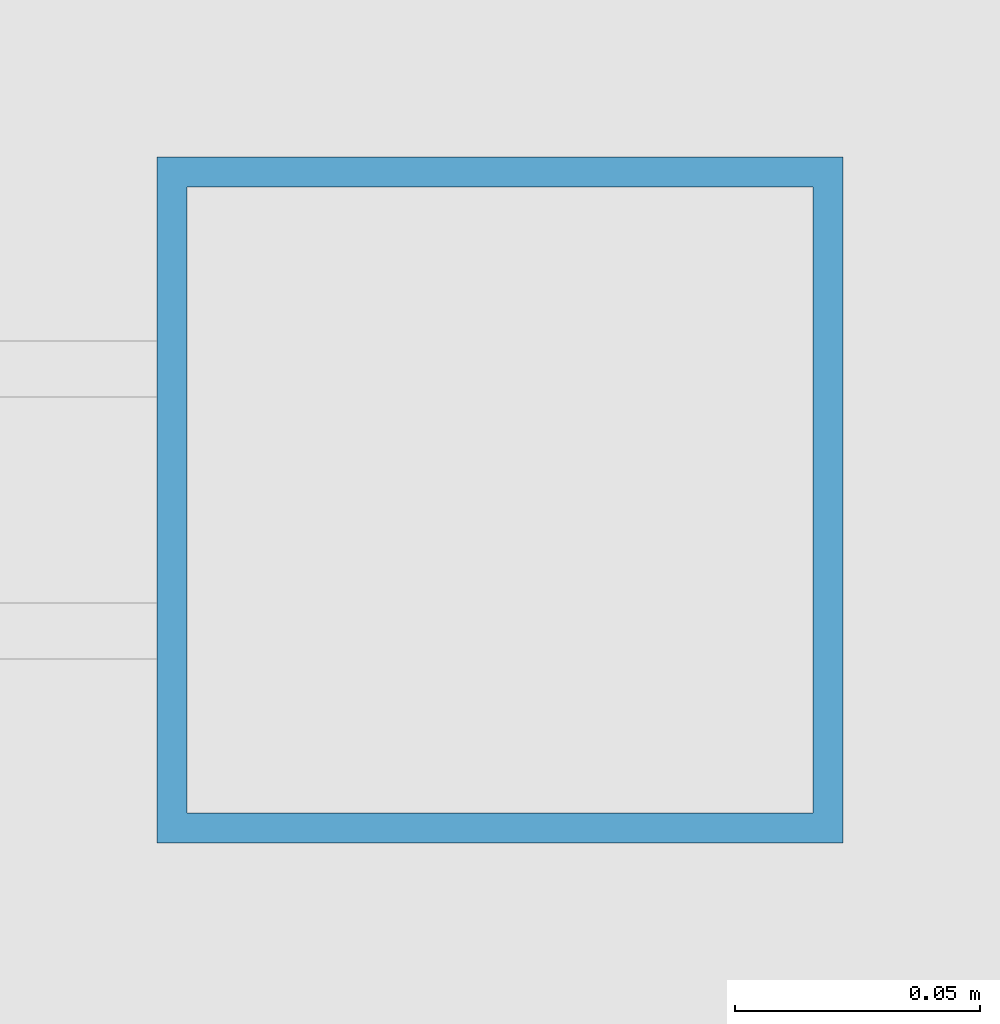
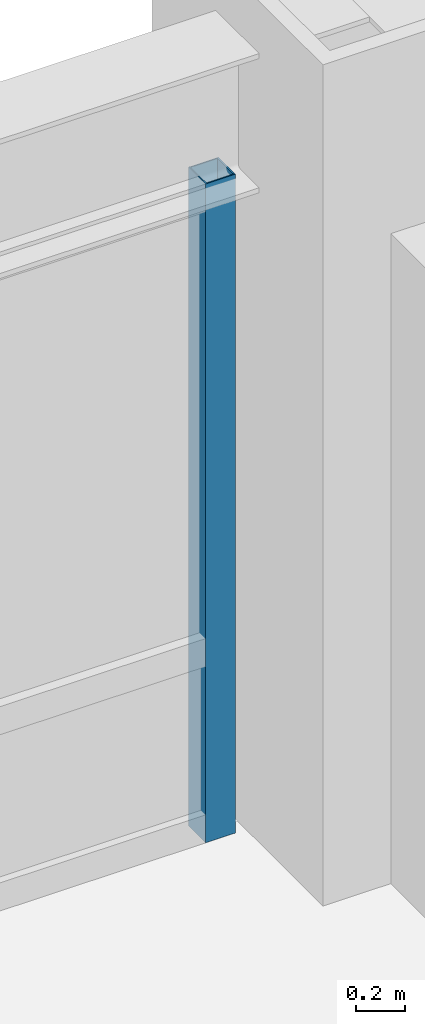
# One storey, part 21 of 28: 1 member, 1 element without a shape of its own.
"""IFC4 building model written with IfcOpenShell, lengths in metres."""

import ifcopenshell
import ifcopenshell.guid

model = None  # the IFC model being written
_history = None  # IfcOwnerHistory: only IFC2X3 demands one
_inside = {}  # id of a spatial element -> (the spatial element, [elements in it])
_under = {}  # id of a project, library or spatial element -> (it, [spatial elements below it])
_declared = {}  # id of a project -> (the project, [libraries it declares])
_typed = {}  # id of a type object -> (the type object, [elements of that type])
_made_of = {}  # id of a material, layer set ... -> (it, [elements and type objects made of it])


def new_model(schema):
    """Start an empty IFC model of exactly this schema.

    Asked for "IFC4X3", IfcOpenShell would pick the latest addendum, in which some entities
    have other attributes; the version numbers below select the first issue.
    IFC2X3 requires an IfcOwnerHistory on every rooted entity: one is made here for all.
    """
    global model, _history
    if schema == "IFC4X3":
        model = ifcopenshell.file(schema_version=(4, 3, 0, 0))
    else:
        model = ifcopenshell.file(schema=schema)
    _inside.clear()
    _under.clear()
    _declared.clear()
    _typed.clear()
    _made_of.clear()
    _history = None
    if model.schema == "IFC2X3":
        org = make("IfcOrganization", Name="unknown")
        user = make(
            "IfcPersonAndOrganization",
            ThePerson=make("IfcPerson", FamilyName="unknown"),
            TheOrganization=org,
        )
        app = make(
            "IfcApplication",
            ApplicationDeveloper=org,
            Version="unknown",
            ApplicationFullName="unknown",
            ApplicationIdentifier="unknown",
        )
        _history = make(
            "IfcOwnerHistory",
            OwningUser=user,
            OwningApplication=app,
            ChangeAction="ADDED",
            CreationDate=0,
        )
    return model


def make(cls, **values):
    """One entity of the class cls with the attributes given. An attribute that is None is left unset."""
    return model.create_entity(
        cls, **{name: value for name, value in values.items() if value is not None}
    )


def rooted(cls, **values):
    """An entity with a GlobalId (a new one), such as an element, a storey or a relation."""
    return make(cls, GlobalId=ifcopenshell.guid.new(), OwnerHistory=_history, **values)


def si_unit(unit_type, name, prefix=None):
    """IfcSIUnit, for example si_unit("LENGTHUNIT", "METRE", prefix="MILLI")."""
    return make("IfcSIUnit", UnitType=unit_type, Prefix=prefix, Name=name)


def assignment(units):
    """IfcUnitAssignment: the units of a project."""
    return None if units is None else make("IfcUnitAssignment", Units=units)


def point(xyz):
    """IfcCartesianPoint."""
    return None if xyz is None else make("IfcCartesianPoint", Coordinates=xyz)


def direction(xyz):
    """IfcDirection."""
    return None if xyz is None else make("IfcDirection", DirectionRatios=xyz)


def frame(location, z_axis=None, x_axis=None):
    """IfcAxis2Placement3D, a coordinate frame: its origin and axes. An axis left out is left unset."""
    return make(
        "IfcAxis2Placement3D",
        Location=point(location),
        Axis=direction(z_axis),
        RefDirection=direction(x_axis),
    )


def frame_2d(location, x_axis=None):
    """IfcAxis2Placement2D, a coordinate frame in the plane: its origin and x axis."""
    return make(
        "IfcAxis2Placement2D", Location=point(location), RefDirection=direction(x_axis)
    )


def origin():
    """The frame at (0, 0, 0) with its axes left unset."""
    return frame((0.0, 0.0, 0.0))


def origin_2d():
    """The frame at (0, 0) in the plane with its x axis left unset."""
    return frame_2d((0.0, 0.0))


def place(relative_to, where):
    """IfcLocalPlacement: puts the frame where relative to a parent placement (None: the world)."""
    return make(
        "IfcLocalPlacement", PlacementRelTo=relative_to, RelativePlacement=where
    )


def context(
    kind, dimensions, precision=None, world=None, true_north=None, identifier=None
):
    """IfcGeometricRepresentationContext, for example the 3D "Model" context."""
    return make(
        "IfcGeometricRepresentationContext",
        ContextIdentifier=identifier,
        ContextType=kind,
        CoordinateSpaceDimension=dimensions,
        Precision=precision,
        WorldCoordinateSystem=world,
        TrueNorth=true_north,
    )


def subcontext(parent, identifier, kind, view, scale=None):
    """IfcGeometricRepresentationSubContext, for example "Body" below "Model"."""
    return make(
        "IfcGeometricRepresentationSubContext",
        ContextIdentifier=identifier,
        ContextType=kind,
        ParentContext=parent,
        TargetScale=scale,
        TargetView=view,
    )


def project(units=None, contexts=None):
    """IfcProject with its units and contexts."""
    return rooted(
        "IfcProject",
        Name="project",
        RepresentationContexts=contexts,
        UnitsInContext=assignment(units),
    )


def spatial(cls, under=None, at=None, **own):
    """A site, building, storey or space (cls), placed at a placement, below another one or the project."""
    s = rooted(cls, ObjectPlacement=at, **own)
    if under is not None:
        _under.setdefault(under.id(), (under, []))[1].append(s)
    return s


def profile(cls, at=None, kind="AREA", **sizes):
    """A parametric profile (cls). Its sizes go by their IFC names, for example OverallWidth=200.0."""
    return make(cls, ProfileType=kind, Position=at, **sizes)


def hollow_rectangle(**sizes):
    """IfcRectangleHollowProfileDef."""
    return profile("IfcRectangleHollowProfileDef", **sizes)


def extrude(swept, where, along, depth):
    """IfcExtrudedAreaSolid: the profile swept, set in the frame where, extruded along a direction by depth."""
    return make(
        "IfcExtrudedAreaSolid",
        SweptArea=swept,
        Position=where,
        ExtrudedDirection=direction(along),
        Depth=depth,
    )


def shape(context_of_items, identifier, shape_type, items):
    """IfcShapeRepresentation: the items that make up one representation, for example the "Body"."""
    return make(
        "IfcShapeRepresentation",
        ContextOfItems=context_of_items,
        RepresentationIdentifier=identifier,
        RepresentationType=shape_type,
        Items=items,
    )


def source(mapping_origin, context_of_items, identifier, shape_type, items):
    """IfcRepresentationMap: a shape defined once, which mapped items show again and again."""
    return make(
        "IfcRepresentationMap",
        MappingOrigin=mapping_origin,
        MappedRepresentation=shape(context_of_items, identifier, shape_type, items),
    )


def transform(
    local_origin,
    x_axis=None,
    y_axis=None,
    z_axis=None,
    scale=None,
    scale2=None,
    scale3=None,
    uniform=True,
):
    """IfcCartesianTransformationOperator3D, or its non-uniform kind. x_axis, y_axis, z_axis: its Axis1, 2, 3."""
    if uniform:
        return make(
            "IfcCartesianTransformationOperator3D",
            Axis1=direction(x_axis),
            Axis2=direction(y_axis),
            LocalOrigin=point(local_origin),
            Scale=scale,
            Axis3=direction(z_axis),
        )
    return make(
        "IfcCartesianTransformationOperator3DnonUniform",
        Axis1=direction(x_axis),
        Axis2=direction(y_axis),
        LocalOrigin=point(local_origin),
        Scale=scale,
        Axis3=direction(z_axis),
        Scale2=scale2,
        Scale3=scale3,
    )


def mapped(mapping_source, mapping_target):
    """IfcMappedItem: shows the shape of a source again, moved by a transform."""
    return make(
        "IfcMappedItem", MappingSource=mapping_source, MappingTarget=mapping_target
    )


def material(Name=None, Category=None):
    """IfcMaterial."""
    return make("IfcMaterial", Name=Name, Category=Category)


def material_profile(
    of_material, cross_section, Name=None, Category=None, Priority=None
):
    """IfcMaterialProfile: a cross section and its material."""
    return make(
        "IfcMaterialProfile",
        Name=Name,
        Material=of_material,
        Profile=cross_section,
        Priority=Priority,
        Category=Category,
    )


def profile_set(profiles, Name=None, composite=None):
    """IfcMaterialProfileSet."""
    return make(
        "IfcMaterialProfileSet",
        Name=Name,
        MaterialProfiles=profiles,
        CompositeProfile=composite,
    )


def made_of(thing, what):
    """Note that an element or type object is made of a material, layer set ...; save() writes the relation."""
    if what is not None:
        _made_of.setdefault(what.id(), (what, []))[1].append(thing)
    return thing


def type_object(cls, material=None, **own):
    """A type object (cls), such as IfcWallType, which elements share."""
    return made_of(rooted(cls, **own), material)


def element(
    cls,
    number,
    at=None,
    inside=None,
    cuts=None,
    type_object=None,
    material=None,
    context=None,
    identifier="Body",
    shape_type=None,
    held_by="IfcProductDefinitionShape",
    body=None,
    shapes=None,
    **own,
):
    """One element of the class cls, such as IfcWall. Its Tag is "e" and its number.

    at: its placement. inside: the storey or other place that contains it. cuts: it is an
    opening in that element (IfcRelVoidsElement). A single representation is given by context,
    identifier, shape_type and body (its items); several are given by shapes. held_by: the class
    of the entity that holds the representations. save() writes the other relations.
    """
    e = rooted(cls, Tag="e%d" % number, ObjectPlacement=at, **own)
    if body is not None:
        shapes = [shape(context, identifier, shape_type, body)]
    if shapes is not None:
        e.Representation = make(held_by, Representations=shapes)
    if inside is not None:
        _inside.setdefault(inside.id(), (inside, []))[1].append(e)
    if cuts is not None:
        rooted(
            "IfcRelVoidsElement", RelatingBuildingElement=cuts, RelatedOpeningElement=e
        )
    if type_object is not None:
        _typed.setdefault(type_object.id(), (type_object, []))[1].append(e)
    return made_of(e, material)


def aggregate(whole, parts):
    """IfcRelAggregates: a whole, such as a stair, and the parts it consists of."""
    return rooted("IfcRelAggregates", RelatingObject=whole, RelatedObjects=parts)


def save(model, path):
    """Write the relations noted so far, then the file.

    IfcRelAggregates (storeys below a building ...), IfcRelContainedInSpatialStructure (elements
    in a storey), IfcRelDefinesByType, IfcRelAssociatesMaterial and IfcRelDeclares: one each for
    every whole, place, type object, material and project.
    """
    for whole, parts in _under.values():
        aggregate(whole, parts)
    for where, things in _inside.values():
        rooted(
            "IfcRelContainedInSpatialStructure",
            RelatedElements=things,
            RelatingStructure=where,
        )
    for kind, things in _typed.values():
        rooted("IfcRelDefinesByType", RelatedObjects=things, RelatingType=kind)
    for what, things in _made_of.values():
        rooted("IfcRelAssociatesMaterial", RelatedObjects=things, RelatingMaterial=what)
    for by, libraries in _declared.values():
        rooted("IfcRelDeclares", RelatingContext=by, RelatedDefinitions=libraries)
    model.write(path)


model = new_model("IFC4")

# Units and contexts
model_context = context("Model", 3, precision=1e-05, world=origin(), true_north=direction((0.0, 1.0)))
body_context = subcontext(model_context, "Body", "Model", "MODEL_VIEW")
ifc_project = project(units=[si_unit("LENGTHUNIT", "METRE"), si_unit("AREAUNIT", "SQUARE_METRE"), si_unit("VOLUMEUNIT", "CUBIC_METRE"), si_unit("PLANEANGLEUNIT", "RADIAN"), si_unit("MASSUNIT", "GRAM", prefix="KILO")], contexts=[model_context])

# Site, building, storey
site_placement = place(None, origin())
site = spatial("IfcSite", under=ifc_project, at=site_placement, CompositionType="ELEMENT")
building_placement = place(site_placement, origin())
building = spatial("IfcBuilding", under=site, at=building_placement, Name="Khorayat Bourse Tower", CompositionType="ELEMENT")
storey_placement = place(building_placement, frame((0.0, 0.0, 83.0)))
storey = spatial("IfcBuildingStorey", under=building, at=storey_placement, Name="L18", CompositionType="ELEMENT", Elevation=83.0)

# Curtain wall, member
ifc_material = material(Name="Aluminium EN AW-6063 T6", Category="aluminium")
curtain_wall_type = type_object("IfcCurtainWallType", Name="CW-SYS-02", PredefinedType="NOTDEFINED", material=ifc_material)
curtain_wall_placement = place(storey_placement, origin())
curtain_wall = element("IfcCurtainWall", 1, at=curtain_wall_placement, inside=storey, type_object=curtain_wall_type, Name="L18 Curtain Wall CW-L18-N1", PredefinedType="NOTDEFINED")
ifc_material_profile = material_profile(ifc_material, hollow_rectangle(XDim=0.139892578125, YDim=0.139892578125, WallThickness=0.006103515625, at=origin_2d()), Name="ALU 140x140x6")
ifc_profile_set = profile_set([ifc_material_profile], Name="Aluminium EN AW-6063 T6")
member_type = type_object("IfcMemberType", Name="CWM-VERT-140", PredefinedType="MULLION", material=ifc_profile_set)
shared_shape = source(origin(), body_context, "Body", "SweptSolid", [
    extrude(hollow_rectangle(XDim=0.139892578125, YDim=0.139892578125, WallThickness=0.006103515625, at=origin_2d()), origin(), (0.0, 0.0, 1.0), 3.2900390625),
])
member_placement = place(storey_placement, frame((27.679931640625, 32.0, 0.0), z_axis=(0.0, 0.0, 1.0), x_axis=(0.0, 1.0, 0.0)))
member = element("IfcMember", 2, at=member_placement, type_object=member_type, Name="CW-L18-N1 Vertical Mullion 3", PredefinedType="MULLION", context=body_context, shape_type="MappedRepresentation", body=[
    mapped(shared_shape, transform((0.0, 0.0, 0.0), scale=1.0)),
])
aggregate(curtain_wall, [member])

save(model, "model.ifc")
